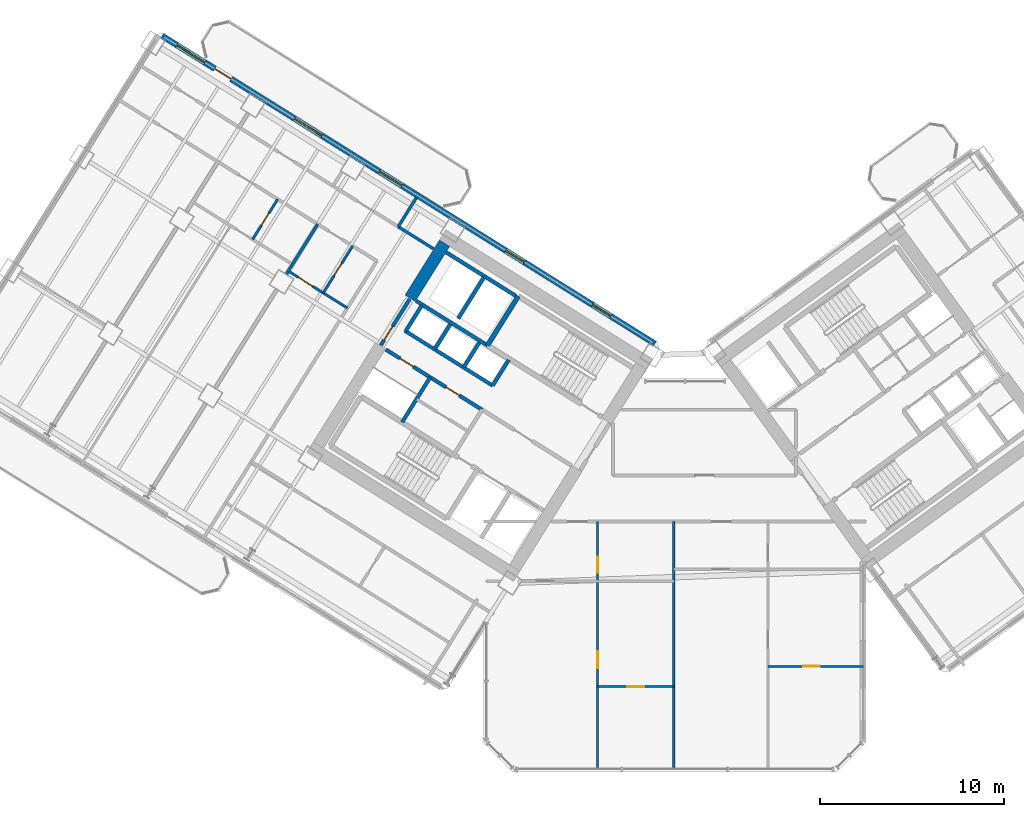
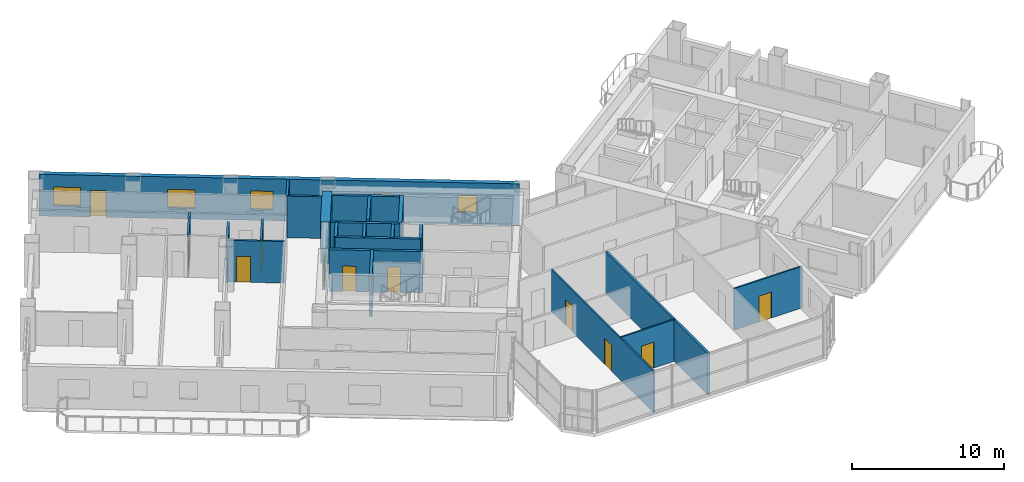
# One storey, part 16 of 28: 24 walls, 11 doors, 5 windows, 16 openings.
"""IFC4 building model written with IfcOpenShell, lengths in metres."""

from ifc_helpers import new_model, si_unit, direction, frame, frame_2d, origin, place, context, subcontext, project, spatial, rectangle, extrude, source, transform, mapped, material, layer, layer_set, type_object, element, fill, save


model = new_model("IFC4")

# Units and contexts
model_context = context("Model", 3, precision=1e-05, world=origin(), true_north=direction((0.0, 1.0)))
body_context = subcontext(model_context, "Body", "Model", "MODEL_VIEW")
ifc_project = project(units=[si_unit("LENGTHUNIT", "METRE"), si_unit("AREAUNIT", "SQUARE_METRE"), si_unit("VOLUMEUNIT", "CUBIC_METRE"), si_unit("PLANEANGLEUNIT", "RADIAN"), si_unit("MASSUNIT", "GRAM", prefix="KILO")], contexts=[model_context])

# Site, building, storey
site_placement = place(None, origin())
site = spatial("IfcSite", under=ifc_project, at=site_placement, CompositionType="ELEMENT")
building_placement = place(site_placement, origin())
building = spatial("IfcBuilding", under=site, at=building_placement, Name="Tlacorven Tower", CompositionType="ELEMENT")
storey_placement = place(building_placement, frame((0.0, 0.0, 42.0)))
storey = spatial("IfcBuildingStorey", under=building, at=storey_placement, Name="L10", CompositionType="ELEMENT", Elevation=42.0)

# Walls
ifc_material_1 = material(Name="Concrete C60/75", Category="concrete")
ifc_layer_1 = layer(ifc_material_1, 0.64990234375)
ifc_layer_set_1 = layer_set([ifc_layer_1], Name="Concrete C60/75")
wall_type_1 = type_object("IfcWallType", Name="WL-COR-650", PredefinedType="SHEAR", material=ifc_layer_set_1)
wall_1_placement = place(storey_placement, frame((29.49072265625, 30.5517578125, 0.0), z_axis=(0.0, 0.0, 1.0), x_axis=(-0.529893103397, -0.8480644427, 0.0)))
element("IfcWall", 1, at=wall_1_placement, inside=storey, type_object=wall_type_1, Name="L10 W core end wall E2.1", PredefinedType="SHEAR", context=body_context, shape_type="SweptSolid", body=[
    extrude(rectangle(XDim=3.525146484375, YDim=0.64990234375, at=frame_2d((1.7626953125, 0.0))), origin(), (0.0, 0.0, 1.0), 3.35009765625),
])
ifc_material_2 = material(Name="Gypsum plasterboard acoustic partition", Category="gypsum")
ifc_layer_2 = layer(ifc_material_2, 0.159912109375)
ifc_layer_set_2 = layer_set([ifc_layer_2], Name="Gypsum plasterboard acoustic partition")
wall_type_2 = type_object("IfcWallType", Name="WL-DEM-160", PredefinedType="PARTITIONING", material=ifc_layer_set_2)
wall_2_placement = place(storey_placement, frame((28.887451171875, 30.250732421875, 0.0), z_axis=(0.0, 0.0, 1.0), x_axis=(-0.848040823168, 0.52993090327, 0.0)))
element("IfcWall", 2, at=wall_2_placement, inside=storey, type_object=wall_type_2, Name="L10 partition 50", PredefinedType="PARTITIONING", context=body_context, shape_type="SweptSolid", body=[
    extrude(rectangle(XDim=2.2578125, YDim=0.159912109375, at=frame_2d((1.12890625, 0.0))), origin(), (0.0, 0.0, 1.0), 3.340087890625),
])
wall_3_placement = place(storey_placement, frame((27.952880859375, 33.01611328125, 0.0), z_axis=(0.0, 0.0, 1.0), x_axis=(-0.529880305451, -0.848072439061, 0.0)))
element("IfcWall", 3, at=wall_3_placement, inside=storey, type_object=wall_type_2, Name="L10 partition 52", PredefinedType="PARTITIONING", context=body_context, shape_type="SweptSolid", body=[
    extrude(rectangle(XDim=1.849853515625, YDim=0.159912109375, at=frame_2d((0.9248046875, 0.0))), origin(), (0.0, 0.0, 1.0), 3.340087890625),
])
wall_4_placement = place(storey_placement, frame((22.5927734375, 31.58984375, 0.0), z_axis=(0.0, 0.0, 1.0), x_axis=(-0.529930102756, -0.848041323399, 0.0)))
element("IfcWall", 4, at=wall_4_placement, inside=storey, type_object=wall_type_2, Name="L10 WN Demising Wall 1", PredefinedType="PARTITIONING", context=body_context, shape_type="SweptSolid", body=[
    extrude(rectangle(XDim=3.18798828125, YDim=0.159912109375, at=frame_2d((1.593994140625, 0.0))), origin(), (0.0, 0.0, 1.0), 2.72509765625),
])
wall_5_placement = place(storey_placement, frame((41.949951171875, 1.9599609375, 0.0), z_axis=(0.0, 0.0, 1.0), x_axis=(0.0, 1.0, 0.0)))
element("IfcWall", 5, at=wall_5_placement, inside=storey, type_object=wall_type_2, Name="L10 Knuckle Demising Wall 1", PredefinedType="PARTITIONING", context=body_context, shape_type="SweptSolid", body=[
    extrude(rectangle(XDim=13.4599609375, YDim=0.159912109375, at=frame_2d((6.72998046875, 0.0))), origin(), (0.0, 0.0, 1.0), 3.340087890625),
])

# Wall, openings, door, windows
ifc_material_3 = material(Name="Precast concrete C45/55", Category="concrete")
ifc_layer_3 = layer(ifc_material_3, 0.320068359375)
ifc_layer_set_3 = layer_set([ifc_layer_3], Name="Precast concrete C45/55")
wall_type_3 = type_object("IfcWallType", Name="WL-EXT-320", PredefinedType="STANDARD", material=ifc_layer_set_3)
wall_6_placement = place(storey_placement, frame((14.13818359375, 41.825439453125, 0.0), z_axis=(0.0, 0.0, 1.0), x_axis=(0.848046498049, -0.529921821731, 0.0)))
wall_6 = element("IfcWall", 6, at=wall_6_placement, inside=storey, type_object=wall_type_3, Name="L10 Masonry-Frame Recessed Facade Wall 3", PredefinedType="STANDARD", context=body_context, shape_type="SweptSolid", body=[
    extrude(rectangle(XDim=31.587646484375, YDim=0.320068359375, at=frame_2d((15.7939453125, 0.0))), origin(), (0.0, 0.0, 1.0), 3.35009765625),
])
opening_1_placement = place(wall_6_placement, frame((3.368896484375, 0.0, 0.0)))
opening_1 = element("IfcOpeningElement", 7, at=opening_1_placement, cuts=wall_6, Name="Opening D06", PredefinedType="OPENING", context=body_context, shape_type="SweptSolid", body=[
    extrude(rectangle(XDim=1.050048828125, YDim=2.14990234375, at=frame_2d((0.52490234375, 1.074951171875))), frame((0.0, 0.169921875, 0.0), z_axis=(0.0, -1.0, 0.0), x_axis=(1.0, 0.0, 0.0)), (0.0, 0.0, 1.0), 0.340087890625),
])
opening_2_placement = place(wall_6_placement, frame((0.9462890625, 0.0, 0.85009765625)))
opening_2 = element("IfcOpeningElement", 8, at=opening_2_placement, cuts=wall_6, Name="Opening WN01", PredefinedType="OPENING", context=body_context, shape_type="SweptSolid", body=[
    extrude(rectangle(XDim=1.800048828125, YDim=1.5, at=frame_2d((0.89990234375, 0.75))), frame((0.0, 0.169921875, 0.0), z_axis=(0.0, -1.0, 0.0), x_axis=(1.0, 0.0, 0.0)), (0.0, 0.0, 1.0), 0.340087890625),
])
opening_3_placement = place(wall_6_placement, frame((8.460205078125, 0.0, 0.85009765625)))
opening_3 = element("IfcOpeningElement", 9, at=opening_3_placement, cuts=wall_6, Name="Opening WN01", PredefinedType="OPENING", context=body_context, shape_type="SweptSolid", body=[
    extrude(rectangle(XDim=1.800048828125, YDim=1.5, at=frame_2d((0.89990234375, 0.75))), frame((0.0, 0.169921875, 0.0), z_axis=(0.0, -1.0, 0.0), x_axis=(1.0, 0.0, 0.0)), (0.0, 0.0, 1.0), 0.340087890625),
])
opening_4_placement = place(wall_6_placement, frame((13.898681640625, 0.0, 0.85009765625)))
opening_4 = element("IfcOpeningElement", 10, at=opening_4_placement, cuts=wall_6, Name="Opening WN02", PredefinedType="OPENING", context=body_context, shape_type="SweptSolid", body=[
    extrude(rectangle(XDim=1.5, YDim=1.5, at=frame_2d((0.75, 0.75))), frame((0.0, 0.169921875, 0.0), z_axis=(0.0, -1.0, 0.0), x_axis=(1.0, 0.0, 0.0)), (0.0, 0.0, 1.0), 0.340087890625),
])
opening_5_placement = place(wall_6_placement, frame((22.018798828125, 0.0, 0.949951171875)))
opening_5 = element("IfcOpeningElement", 11, at=opening_5_placement, cuts=wall_6, Name="Opening WN03", PredefinedType="OPENING", context=body_context, shape_type="SweptSolid", body=[
    extrude(rectangle(XDim=1.199951171875, YDim=1.39990234375, at=frame_2d((0.60009765625, 0.699951171875))), frame((0.0, 0.169921875, 0.0), z_axis=(0.0, -1.0, 0.0), x_axis=(1.0, 0.0, 0.0)), (0.0, 0.0, 1.0), 0.340087890625),
])
opening_6_placement = place(wall_6_placement, frame((27.568603515625, 0.0, 0.949951171875)))
opening_6 = element("IfcOpeningElement", 12, at=opening_6_placement, cuts=wall_6, Name="Opening WN03", PredefinedType="OPENING", context=body_context, shape_type="SweptSolid", body=[
    extrude(rectangle(XDim=1.199951171875, YDim=1.39990234375, at=frame_2d((0.60009765625, 0.699951171875))), frame((0.0, 0.169921875, 0.0), z_axis=(0.0, -1.0, 0.0), x_axis=(1.0, 0.0, 0.0)), (0.0, 0.0, 1.0), 0.340087890625),
])
ifc_material_4 = material(Name="Powder-coated aluminium and timber door", Category="wood")
door_type_1 = type_object("IfcDoorType", Name="DR-EXT-BALC-1050", OperationType="NOTDEFINED", PredefinedType="DOOR", material=ifc_material_4)
shared_shape_1 = source(origin(), body_context, "Body", "SweptSolid", [
    extrude(rectangle(XDim=1.050048828125, YDim=2.14990234375, at=frame_2d((0.52490234375, 1.074951171875))), frame((0.0, 0.02490234375, 0.0), z_axis=(0.0, -1.0, 0.0), x_axis=(1.0, 0.0, 0.0)), (0.0, 0.0, 1.0), 0.050048828125),
])
door_1_placement = place(opening_1_placement, origin())
door_1 = element("IfcDoor", 13, at=door_1_placement, inside=storey, type_object=door_type_1, Name="L10 Outdoor Access Door BAL-L10-W-IN", OperationType="SINGLE_SWING_RIGHT", OverallHeight=2.14990234375, OverallWidth=1.050048828125, PredefinedType="DOOR", context=body_context, shape_type="MappedRepresentation", body=[
    mapped(shared_shape_1, transform((0.0, 0.0, 0.0), scale=1.0)),
])
fill(opening_1, door_1)
ifc_material_5 = material(Name="Dark solar low-E double glazing in anodised aluminium frame", Category="aluminium")
window_type_1 = type_object("IfcWindowType", Name="WN-APT-1200X1500", PartitioningType="SINGLE_PANEL", PredefinedType="WINDOW", material=ifc_material_5)
shared_shape_2 = source(origin(), body_context, "Body", "SweptSolid", [
    extrude(rectangle(XDim=1.199951171875, YDim=1.39990234375, at=frame_2d((0.60009765625, 0.699951171875))), frame((0.0, 0.030029296875, 0.0), z_axis=(0.0, -1.0, 0.0), x_axis=(1.0, 0.0, 0.0)), (0.0, 0.0, 1.0), 0.06005859375),
])
window_1_placement = place(opening_5_placement, origin())
window_1 = element("IfcWindow", 14, at=window_1_placement, inside=storey, type_object=window_type_1, Name="L10 Recessed Masonry-Frame Window L10-03.4", OverallHeight=1.39990234375, OverallWidth=1.199951171875, PartitioningType="SINGLE_PANEL", PredefinedType="WINDOW", context=body_context, shape_type="MappedRepresentation", body=[
    mapped(shared_shape_2, transform((0.0, 0.0, 0.0), scale=1.0)),
])
fill(opening_5, window_1)
window_2_placement = place(opening_6_placement, origin())
window_2 = element("IfcWindow", 15, at=window_2_placement, inside=storey, type_object=window_type_1, Name="L10 Recessed Masonry-Frame Window L10-03.5", OverallHeight=1.39990234375, OverallWidth=1.199951171875, PartitioningType="SINGLE_PANEL", PredefinedType="WINDOW", context=body_context, shape_type="MappedRepresentation", body=[
    mapped(shared_shape_2, transform((0.0, 0.0, 0.0), scale=1.0)),
])
fill(opening_6, window_2)
window_type_2 = type_object("IfcWindowType", Name="WN-APT-1800X1650", PartitioningType="SINGLE_PANEL", PredefinedType="WINDOW", material=ifc_material_5)
shared_shape_3 = source(origin(), body_context, "Body", "SweptSolid", [
    extrude(rectangle(XDim=1.800048828125, YDim=1.5, at=frame_2d((0.89990234375, 0.75))), frame((0.0, 0.030029296875, 0.0), z_axis=(0.0, -1.0, 0.0), x_axis=(1.0, 0.0, 0.0)), (0.0, 0.0, 1.0), 0.06005859375),
])
window_3_placement = place(opening_2_placement, origin())
window_3 = element("IfcWindow", 16, at=window_3_placement, inside=storey, type_object=window_type_2, Name="L10 Recessed Masonry-Frame Window L10-03.1", OverallHeight=1.5, OverallWidth=1.800048828125, PartitioningType="SINGLE_PANEL", PredefinedType="WINDOW", context=body_context, shape_type="MappedRepresentation", body=[
    mapped(shared_shape_3, transform((0.0, 0.0, 0.0), scale=1.0)),
])
fill(opening_2, window_3)
window_4_placement = place(opening_3_placement, origin())
window_4 = element("IfcWindow", 17, at=window_4_placement, inside=storey, type_object=window_type_2, Name="L10 Recessed Masonry-Frame Window L10-03.2", OverallHeight=1.5, OverallWidth=1.800048828125, PartitioningType="SINGLE_PANEL", PredefinedType="WINDOW", context=body_context, shape_type="MappedRepresentation", body=[
    mapped(shared_shape_3, transform((0.0, 0.0, 0.0), scale=1.0)),
])
fill(opening_3, window_4)
window_type_3 = type_object("IfcWindowType", Name="WN-APT-1500X1650", PartitioningType="SINGLE_PANEL", PredefinedType="WINDOW", material=ifc_material_5)
shared_shape_4 = source(origin(), body_context, "Body", "SweptSolid", [
    extrude(rectangle(XDim=1.5, YDim=1.5, at=frame_2d((0.75, 0.75))), frame((0.0, 0.030029296875, 0.0), z_axis=(0.0, -1.0, 0.0), x_axis=(1.0, 0.0, 0.0)), (0.0, 0.0, 1.0), 0.06005859375),
])
window_5_placement = place(opening_4_placement, origin())
window_5 = element("IfcWindow", 18, at=window_5_placement, inside=storey, type_object=window_type_3, Name="L10 Recessed Masonry-Frame Window L10-03.3", OverallHeight=1.5, OverallWidth=1.5, PartitioningType="SINGLE_PANEL", PredefinedType="WINDOW", context=body_context, shape_type="MappedRepresentation", body=[
    mapped(shared_shape_4, transform((0.0, 0.0, 0.0), scale=1.0)),
])
fill(opening_4, window_5)

# Wall, openings, doors
ifc_material_6 = material(Name="Gypsum plasterboard partition", Category="gypsum")
ifc_layer_4 = layer(ifc_material_6, 0.110107421875)
ifc_layer_set_4 = layer_set([ifc_layer_4], Name="Gypsum plasterboard partition")
wall_type_4 = type_object("IfcWallType", Name="WL-INT-110", PredefinedType="PARTITIONING", material=ifc_layer_set_4)
wall_7_placement = place(storey_placement, frame((37.81298828125, 1.9599609375, 0.0), z_axis=(0.0, 0.0, 1.0), x_axis=(0.0, 1.0, 0.0)))
wall_7 = element("IfcWall", 19, at=wall_7_placement, inside=storey, type_object=wall_type_4, Name="L10 partition 78", PredefinedType="PARTITIONING", context=body_context, shape_type="SweptSolid", body=[
    extrude(rectangle(XDim=13.4599609375, YDim=0.110107421875, at=frame_2d((6.72998046875, 0.0))), origin(), (0.0, 0.0, 1.0), 3.340087890625),
])
opening_7_placement = place(wall_7_placement, frame((5.5, 0.0, 0.0)))
opening_7 = element("IfcOpeningElement", 20, at=opening_7_placement, cuts=wall_7, Name="Opening D12", PredefinedType="OPENING", context=body_context, shape_type="SweptSolid", body=[
    extrude(rectangle(XDim=0.919921875, YDim=2.080078125, at=frame_2d((0.4599609375, 1.0400390625))), frame((0.0, 0.06494140625, 0.0), z_axis=(0.0, -1.0, 0.0), x_axis=(1.0, 0.0, 0.0)), (0.0, 0.0, 1.0), 0.130126953125),
])
opening_8_placement = place(wall_7_placement, frame((10.669921875, 0.0, 0.0)))
opening_8 = element("IfcOpeningElement", 21, at=opening_8_placement, cuts=wall_7, Name="Opening D13", PredefinedType="OPENING", context=body_context, shape_type="SweptSolid", body=[
    extrude(rectangle(XDim=0.8798828125, YDim=2.080078125, at=frame_2d((0.43994140625, 1.0400390625))), frame((0.0, 0.06494140625, 0.0), z_axis=(0.0, -1.0, 0.0), x_axis=(1.0, 0.0, 0.0)), (0.0, 0.0, 1.0), 0.130126953125),
])
door_type_2 = type_object("IfcDoorType", Name="DR-INT-WET-0880", OperationType="NOTDEFINED", PredefinedType="DOOR", material=ifc_material_4)
shared_shape_5 = source(origin(), body_context, "Body", "SweptSolid", [
    extrude(rectangle(XDim=0.8798828125, YDim=2.080078125, at=frame_2d((0.43994140625, 1.0400390625))), frame((0.0, 0.02490234375, 0.0), z_axis=(0.0, -1.0, 0.0), x_axis=(1.0, 0.0, 0.0)), (0.0, 0.0, 1.0), 0.050048828125),
])
door_2_placement = place(opening_8_placement, origin())
door_2 = element("IfcDoor", 22, at=door_2_placement, inside=storey, type_object=door_type_2, Name="L10 door 045", OperationType="SINGLE_SWING_LEFT", OverallHeight=2.080078125, OverallWidth=0.8798828125, PredefinedType="DOOR", context=body_context, shape_type="MappedRepresentation", body=[
    mapped(shared_shape_5, transform((0.0, 0.0, 0.0), scale=1.0)),
])
fill(opening_8, door_2)
door_type_3 = type_object("IfcDoorType", Name="DR-INT-ROOM-0920", OperationType="NOTDEFINED", PredefinedType="DOOR", material=ifc_material_4)
shared_shape_6 = source(origin(), body_context, "Body", "SweptSolid", [
    extrude(rectangle(XDim=0.919921875, YDim=2.080078125, at=frame_2d((0.4599609375, 1.0400390625))), frame((0.0, 0.02490234375, 0.0), z_axis=(0.0, -1.0, 0.0), x_axis=(1.0, 0.0, 0.0)), (0.0, 0.0, 1.0), 0.050048828125),
])
door_3_placement = place(opening_7_placement, origin())
door_3 = element("IfcDoor", 23, at=door_3_placement, inside=storey, type_object=door_type_3, Name="L10 door 041", OperationType="SINGLE_SWING_LEFT", OverallHeight=2.080078125, OverallWidth=0.919921875, PredefinedType="DOOR", context=body_context, shape_type="MappedRepresentation", body=[
    mapped(shared_shape_6, transform((0.0, 0.0, 0.0), scale=1.0)),
])
fill(opening_7, door_3)

# Wall, opening, door
wall_8_placement = place(storey_placement, frame((37.81298828125, 6.449951171875, 0.0), z_axis=(0.0, 0.0, 1.0), x_axis=(1.0, 0.0, 0.0)))
wall_8 = element("IfcWall", 24, at=wall_8_placement, inside=storey, type_object=wall_type_4, Name="L10 partition 81", PredefinedType="PARTITIONING", context=body_context, shape_type="SweptSolid", body=[
    extrude(rectangle(XDim=4.136962890625, YDim=0.110107421875, at=frame_2d((2.068359375, 0.0))), origin(), (0.0, 0.0, 1.0), 3.340087890625),
])
opening_9_placement = place(wall_8_placement, frame((1.6083984375, 0.0, 0.0)))
opening_9 = element("IfcOpeningElement", 25, at=opening_9_placement, cuts=wall_8, Name="Opening D12", PredefinedType="OPENING", context=body_context, shape_type="SweptSolid", body=[
    extrude(rectangle(XDim=0.919921875, YDim=2.080078125, at=frame_2d((0.4599609375, 1.0400390625))), frame((0.0, 0.06494140625, 0.0), z_axis=(0.0, -1.0, 0.0), x_axis=(1.0, 0.0, 0.0)), (0.0, 0.0, 1.0), 0.130126953125),
])
door_4_placement = place(opening_9_placement, origin())
door_4 = element("IfcDoor", 26, at=door_4_placement, inside=storey, type_object=door_type_3, Name="L10 door 042", OperationType="SINGLE_SWING_RIGHT", OverallHeight=2.080078125, OverallWidth=0.919921875, PredefinedType="DOOR", context=body_context, shape_type="MappedRepresentation", body=[
    mapped(shared_shape_6, transform((0.0, 0.0, 0.0), scale=1.0)),
])
fill(opening_9, door_4)

wall_9_placement = place(storey_placement, frame((47.072021484375, 7.550048828125, 0.0), z_axis=(0.0, 0.0, 1.0), x_axis=(1.0, 0.0, 0.0)))
wall_9 = element("IfcWall", 27, at=wall_9_placement, inside=storey, type_object=wall_type_4, Name="L10 partition 85", PredefinedType="PARTITIONING", context=body_context, shape_type="SweptSolid", body=[
    extrude(rectangle(XDim=5.18798828125, YDim=0.110107421875, at=frame_2d((2.593994140625, 0.0))), origin(), (0.0, 0.0, 1.0), 3.340087890625),
])
opening_10_placement = place(wall_9_placement, frame((1.904052734375, 0.0, 0.0)))
opening_10 = element("IfcOpeningElement", 28, at=opening_10_placement, cuts=wall_9, Name="Opening D12", PredefinedType="OPENING", context=body_context, shape_type="SweptSolid", body=[
    extrude(rectangle(XDim=0.919921875, YDim=2.080078125, at=frame_2d((0.4599609375, 1.0400390625))), frame((0.0, 0.06494140625, 0.0), z_axis=(0.0, -1.0, 0.0), x_axis=(1.0, 0.0, 0.0)), (0.0, 0.0, 1.0), 0.130126953125),
])
door_5_placement = place(opening_10_placement, origin())
door_5 = element("IfcDoor", 29, at=door_5_placement, inside=storey, type_object=door_type_3, Name="L10 door 047", OperationType="SINGLE_SWING_LEFT", OverallHeight=2.080078125, OverallWidth=0.919921875, PredefinedType="DOOR", context=body_context, shape_type="MappedRepresentation", body=[
    mapped(shared_shape_6, transform((0.0, 0.0, 0.0), scale=1.0)),
])
fill(opening_10, door_5)

ifc_material_7 = material(Name="Moisture-resistant gypsum plumbing wall", Category="gypsum")
ifc_layer_5 = layer(ifc_material_7, 0.139892578125)
ifc_layer_set_5 = layer_set([ifc_layer_5], Name="Moisture-resistant gypsum plumbing wall")
wall_type_5 = type_object("IfcWallType", Name="WL-PLM-140", PredefinedType="PLUMBINGWALL", material=ifc_layer_set_5)
wall_10_placement = place(storey_placement, frame((24.211669921875, 27.02880859375, 0.0), z_axis=(0.0, 0.0, 1.0), x_axis=(-0.84803087207, 0.529946827537, 0.0)))
wall_10 = element("IfcWall", 30, at=wall_10_placement, inside=storey, type_object=wall_type_5, Name="L10 partition 57", PredefinedType="PLUMBINGWALL", context=body_context, shape_type="SweptSolid", body=[
    extrude(rectangle(XDim=3.7900390625, YDim=0.139892578125, at=frame_2d((1.89501953125, 0.0))), origin(), (0.0, 0.0, 1.0), 3.340087890625),
])
opening_11_placement = place(wall_10_placement, frame((2.22998046875, 0.0, 0.0)))
opening_11 = element("IfcOpeningElement", 31, at=opening_11_placement, cuts=wall_10, Name="Opening D12", PredefinedType="OPENING", context=body_context, shape_type="SweptSolid", body=[
    extrude(rectangle(XDim=0.919921875, YDim=2.080078125, at=frame_2d((0.4599609375, 1.0400390625))), frame((0.0, 0.080078125, 0.0), z_axis=(0.0, -1.0, 0.0), x_axis=(1.0, 0.0, 0.0)), (0.0, 0.0, 1.0), 0.159912109375),
])
door_6_placement = place(opening_11_placement, origin())
door_6 = element("IfcDoor", 32, at=door_6_placement, inside=storey, type_object=door_type_3, Name="L10 door 024", OperationType="SINGLE_SWING_LEFT", OverallHeight=2.080078125, OverallWidth=0.919921875, PredefinedType="DOOR", context=body_context, shape_type="MappedRepresentation", body=[
    mapped(shared_shape_6, transform((0.0, 0.0, 0.0), scale=1.0)),
])
fill(opening_11, door_6)

wall_11_placement = place(storey_placement, frame((24.492431640625, 30.40283203125, 0.0), z_axis=(0.0, 0.0, 1.0), x_axis=(-0.529977067289, -0.848011974059, 0.0)))
wall_11 = element("IfcWall", 33, at=wall_11_placement, inside=storey, type_object=wall_type_5, Name="L10 partition 58", PredefinedType="PLUMBINGWALL", context=body_context, shape_type="SweptSolid", body=[
    extrude(rectangle(XDim=3.010009765625, YDim=0.139892578125, at=frame_2d((1.5048828125, 0.0))), origin(), (0.0, 0.0, 1.0), 2.9951171875),
])
opening_12_placement = place(wall_11_placement, frame((1.114990234375, 0.0, 0.0)))
opening_12 = element("IfcOpeningElement", 34, at=opening_12_placement, cuts=wall_11, Name="Opening D22", PredefinedType="OPENING", context=body_context, shape_type="SweptSolid", body=[
    extrude(rectangle(XDim=0.780029296875, YDim=2.050048828125, at=frame_2d((0.39013671875, 1.02490234375))), frame((0.0, 0.080078125, 0.0), z_axis=(0.0, -1.0, 0.0), x_axis=(1.0, 0.0, 0.0)), (0.0, 0.0, 1.0), 0.159912109375),
])
door_type_4 = type_object("IfcDoorType", Name="DR-INT-WET-0780", OperationType="NOTDEFINED", PredefinedType="DOOR", material=ifc_material_4)
shared_shape_7 = source(origin(), body_context, "Body", "SweptSolid", [
    extrude(rectangle(XDim=0.780029296875, YDim=2.050048828125, at=frame_2d((0.39013671875, 1.02490234375))), frame((0.0, 0.02490234375, 0.0), z_axis=(0.0, -1.0, 0.0), x_axis=(1.0, 0.0, 0.0)), (0.0, 0.0, 1.0), 0.050048828125),
])
door_7_placement = place(opening_12_placement, origin())
door_7 = element("IfcDoor", 35, at=door_7_placement, inside=storey, type_object=door_type_4, Name="L10 door 025", OperationType="SINGLE_SWING_LEFT", OverallHeight=2.050048828125, OverallWidth=0.780029296875, PredefinedType="DOOR", context=body_context, shape_type="MappedRepresentation", body=[
    mapped(shared_shape_7, transform((0.0, 0.0, 0.0), scale=1.0)),
])
fill(opening_12, door_7)

wall_12_placement = place(storey_placement, frame((20.421630859375, 32.946533203125, 0.0), z_axis=(0.0, 0.0, 1.0), x_axis=(-0.529913878929, -0.848051461244, 0.0)))
wall_12 = element("IfcWall", 36, at=wall_12_placement, inside=storey, type_object=wall_type_5, Name="L10 partition 61", PredefinedType="PLUMBINGWALL", context=body_context, shape_type="SweptSolid", body=[
    extrude(rectangle(XDim=2.580078125, YDim=0.139892578125, at=frame_2d((1.2900390625, 0.0))), origin(), (0.0, 0.0, 1.0), 3.340087890625),
])
opening_13_placement = place(wall_12_placement, frame((0.89990234375, 0.0, 0.0)))
opening_13 = element("IfcOpeningElement", 37, at=opening_13_placement, cuts=wall_12, Name="Opening D22", PredefinedType="OPENING", context=body_context, shape_type="SweptSolid", body=[
    extrude(rectangle(XDim=0.780029296875, YDim=2.050048828125, at=frame_2d((0.39013671875, 1.02490234375))), frame((0.0, 0.080078125, 0.0), z_axis=(0.0, -1.0, 0.0), x_axis=(1.0, 0.0, 0.0)), (0.0, 0.0, 1.0), 0.159912109375),
])
door_8_placement = place(opening_13_placement, origin())
door_8 = element("IfcDoor", 38, at=door_8_placement, inside=storey, type_object=door_type_4, Name="L10 door 029", OperationType="SINGLE_SWING_LEFT", OverallHeight=2.050048828125, OverallWidth=0.780029296875, PredefinedType="DOOR", context=body_context, shape_type="MappedRepresentation", body=[
    mapped(shared_shape_7, transform((0.0, 0.0, 0.0), scale=1.0)),
])
fill(opening_13, door_8)

# Walls
ifc_material_8 = material(Name="Concrete C40/50", Category="concrete")
ifc_layer_6 = layer(ifc_material_8, 0.199951171875)
ifc_layer_set_6 = layer_set([ifc_layer_6], Name="Concrete C40/50")
wall_type_6 = type_object("IfcWallType", Name="WL-SHF-200", PredefinedType="STANDARD", material=ifc_layer_set_6)
wall_13_placement = place(storey_placement, frame((31.82177734375, 24.99755859375, 0.0), z_axis=(0.0, 0.0, 1.0), x_axis=(-0.848058348634, 0.529902856485, 0.0)))
element("IfcWall", 39, at=wall_13_placement, inside=storey, type_object=wall_type_6, Name="L10 Core W South Lift Shaft Wall", PredefinedType="STANDARD", context=body_context, shape_type="SweptSolid", body=[
    extrude(rectangle(XDim=4.568115234375, YDim=0.199951171875, at=frame_2d((2.2841796875, 0.0))), origin(), (0.0, 0.0, 1.0), 3.340087890625),
])
wall_14_placement = place(storey_placement, frame((32.108154296875, 22.81396484375, 0.0), z_axis=(0.0, 0.0, 1.0), x_axis=(-0.848042229521, 0.529928652696, 0.0)))
element("IfcWall", 40, at=wall_14_placement, inside=storey, type_object=wall_type_6, Name="L10 partition 11", PredefinedType="STANDARD", context=body_context, shape_type="SweptSolid", body=[
    extrude(rectangle(XDim=5.6201171875, YDim=0.199951171875, at=frame_2d((2.81005859375, 0.0))), origin(), (0.0, 0.0, 1.0), 3.340087890625),
])
wall_15_placement = place(storey_placement, frame((32.982421875, 24.21337890625, 0.0), z_axis=(0.0, 0.0, 1.0), x_axis=(-0.529839334948, -0.84809803628, 0.0)))
element("IfcWall", 41, at=wall_15_placement, inside=storey, type_object=wall_type_6, Name="L10 partition 12", PredefinedType="STANDARD", context=body_context, shape_type="SweptSolid", body=[
    extrude(rectangle(XDim=1.650146484375, YDim=0.199951171875, at=frame_2d((0.8251953125, 0.0))), origin(), (0.0, 0.0, 1.0), 3.340087890625),
])
wall_16_placement = place(storey_placement, frame((28.250244140625, 27.170166015625, 0.0), z_axis=(0.0, 0.0, 1.0), x_axis=(-0.529905827651, -0.848056492117, 0.0)))
element("IfcWall", 42, at=wall_16_placement, inside=storey, type_object=wall_type_6, Name="L10 partition 13", PredefinedType="STANDARD", context=body_context, shape_type="SweptSolid", body=[
    extrude(rectangle(XDim=1.64990234375, YDim=0.199951171875, at=frame_2d((0.824951171875, 0.0))), origin(), (0.0, 0.0, 1.0), 3.340087890625),
])
wall_17_placement = place(storey_placement, frame((31.645263671875, 28.716064453125, 0.0), z_axis=(0.0, 0.0, 1.0), x_axis=(-0.52986693015, -0.848080795876, 0.0)))
element("IfcWall", 43, at=wall_17_placement, inside=storey, type_object=wall_type_6, Name="L10 partition 15", PredefinedType="STANDARD", context=body_context, shape_type="SweptSolid", body=[
    extrude(rectangle(XDim=2.659912109375, YDim=0.199951171875, at=frame_2d((1.330078125, 0.0))), origin(), (0.0, 0.0, 1.0), 3.340087890625),
])
wall_18_placement = place(storey_placement, frame((33.362548828125, 27.690185546875, 0.0), z_axis=(0.0, 0.0, 1.0), x_axis=(-0.848053806312, 0.529910125964, 0.0)))
element("IfcWall", 44, at=wall_18_placement, inside=storey, type_object=wall_type_6, Name="L10 partition 17", PredefinedType="STANDARD", context=body_context, shape_type="SweptSolid", body=[
    extrude(rectangle(XDim=4.44775390625, YDim=0.199951171875, at=frame_2d((2.223876953125, 0.0))), origin(), (0.0, 0.0, 1.0), 3.340087890625),
])
for number, where, z_axis, x_axis, name in (
    (45, (31.378662109375, 25.156494140625, 0.0), (0.0, 0.0, 1.0), (-0.529998940003, -0.847998304005, 0.0), "L10 partition 18"),
    (46, (29.80126953125, 26.14208984375, 0.0), (0.0, 0.0, 1.0), (-0.529998940003, -0.847998304005, 0.0), "L10 partition 19"),
):
    element("IfcWall", number, at=place(storey_placement, frame(where, z_axis=z_axis, x_axis=x_axis)), inside=storey, type_object=wall_type_6, Name=name, PredefinedType="STANDARD", context=body_context, shape_type="SweptSolid", body=[
        extrude(rectangle(XDim=1.580078125, YDim=0.199951171875, at=frame_2d((0.7900390625, 0.0))), origin(), (0.0, 0.0, 1.0), 3.340087890625),
    ])
wall_19_placement = place(storey_placement, frame((28.709716796875, 23.26318359375, 0.0), z_axis=(0.0, 0.0, 1.0), x_axis=(-0.529907497854, -0.848055448493, 0.0)))
element("IfcWall", 47, at=wall_19_placement, inside=storey, type_object=wall_type_6, Name="L10 partition 21", PredefinedType="STANDARD", context=body_context, shape_type="SweptSolid", body=[
    extrude(rectangle(XDim=2.8798828125, YDim=0.199951171875, at=frame_2d((1.43994140625, 0.0))), origin(), (0.0, 0.0, 1.0), 3.340087890625),
])

# Wall, openings, doors
wall_20_placement = place(storey_placement, frame((31.525146484375, 21.503662109375, 0.0), z_axis=(0.0, 0.0, 1.0), x_axis=(-0.848044998614, 0.529924221305, 0.0)))
wall_20 = element("IfcWall", 48, at=wall_20_placement, inside=storey, type_object=wall_type_6, Name="L10 Core W North Service Wall", PredefinedType="STANDARD", context=body_context, shape_type="SweptSolid", body=[
    extrude(rectangle(XDim=6.16796875, YDim=0.199951171875, at=frame_2d((3.083984375, 0.0))), origin(), (0.0, 0.0, 1.0), 3.340087890625),
])
opening_14_placement = place(wall_20_placement, frame((4.39990234375, 0.0, 0.0)))
opening_14 = element("IfcOpeningElement", 49, at=opening_14_placement, cuts=wall_20, Name="Opening D19", PredefinedType="OPENING", context=body_context, shape_type="SweptSolid", body=[
    extrude(rectangle(XDim=0.860107421875, YDim=2.050048828125, at=frame_2d((0.43017578125, 1.02490234375))), frame((0.0, 0.10986328125, 0.0), z_axis=(0.0, -1.0, 0.0), x_axis=(1.0, 0.0, 0.0)), (0.0, 0.0, 1.0), 0.219970703125),
])
opening_15_placement = place(wall_20_placement, frame((1.449951171875, 0.0, 0.0)))
opening_15 = element("IfcOpeningElement", 50, at=opening_15_placement, cuts=wall_20, Name="Opening D19", PredefinedType="OPENING", context=body_context, shape_type="SweptSolid", body=[
    extrude(rectangle(XDim=0.860107421875, YDim=2.050048828125, at=frame_2d((0.43017578125, 1.02490234375))), frame((0.0, 0.10986328125, 0.0), z_axis=(0.0, -1.0, 0.0), x_axis=(1.0, 0.0, 0.0)), (0.0, 0.0, 1.0), 0.219970703125),
])
ifc_material_9 = material(Name="Fire-rated steel door assembly", Category="steel")
door_type_5 = type_object("IfcDoorType", Name="DR-RSR-FD60-0860", OperationType="NOTDEFINED", PredefinedType="DOOR", material=ifc_material_9)
shared_shape_8 = source(origin(), body_context, "Body", "SweptSolid", [
    extrude(rectangle(XDim=0.860107421875, YDim=2.050048828125, at=frame_2d((0.43017578125, 1.02490234375))), frame((0.0, 0.02490234375, 0.0), z_axis=(0.0, -1.0, 0.0), x_axis=(1.0, 0.0, 0.0)), (0.0, 0.0, 1.0), 0.050048828125),
])
door_9_placement = place(opening_14_placement, frame((0.860107421875, 0.0, 0.0), z_axis=(0.0, 0.0, 1.0), x_axis=(-1.0, 0.0, 0.0)))
door_9 = element("IfcDoor", 51, at=door_9_placement, inside=storey, type_object=door_type_5, Name="L10 Electrical Riser Access Door W", OperationType="SINGLE_SWING_LEFT", OverallHeight=2.050048828125, OverallWidth=0.860107421875, PredefinedType="DOOR", context=body_context, shape_type="MappedRepresentation", body=[
    mapped(shared_shape_8, transform((0.0, 0.0, 0.0), scale=1.0)),
])
fill(opening_14, door_9)
door_10_placement = place(opening_15_placement, frame((0.860107421875, 0.0, 0.0), z_axis=(0.0, 0.0, 1.0), x_axis=(-1.0, 0.0, 0.0)))
door_10 = element("IfcDoor", 52, at=door_10_placement, inside=storey, type_object=door_type_5, Name="L10 Cleaner Store Access Door W", OperationType="SINGLE_SWING_RIGHT", OverallHeight=2.050048828125, OverallWidth=0.860107421875, PredefinedType="DOOR", context=body_context, shape_type="MappedRepresentation", body=[
    mapped(shared_shape_8, transform((0.0, 0.0, 0.0), scale=1.0)),
])
fill(opening_15, door_10)

# Wall, opening, door
wall_21_placement = place(storey_placement, frame((27.59619140625, 27.52001953125, 0.0), z_axis=(0.0, 0.0, 1.0), x_axis=(-0.529865479138, -0.848081702443, 0.0)))
wall_21 = element("IfcWall", 53, at=wall_21_placement, inside=storey, type_object=wall_type_6, Name="L10 partition 49", PredefinedType="STANDARD", context=body_context, shape_type="SweptSolid", body=[
    extrude(rectangle(XDim=2.9599609375, YDim=0.199951171875, at=frame_2d((1.47998046875, 0.0))), origin(), (0.0, 0.0, 1.0), 3.340087890625),
])
opening_16_placement = place(wall_21_placement, frame((1.760009765625, 0.0, 0.0)))
opening_16 = element("IfcOpeningElement", 54, at=opening_16_placement, cuts=wall_21, Name="Opening D19", PredefinedType="OPENING", context=body_context, shape_type="SweptSolid", body=[
    extrude(rectangle(XDim=0.860107421875, YDim=2.050048828125, at=frame_2d((0.43017578125, 1.02490234375))), frame((0.0, 0.10986328125, 0.0), z_axis=(0.0, -1.0, 0.0), x_axis=(1.0, 0.0, 0.0)), (0.0, 0.0, 1.0), 0.219970703125),
])
door_11_placement = place(opening_16_placement, origin())
door_11 = element("IfcDoor", 55, at=door_11_placement, inside=storey, type_object=door_type_5, Name="L10 door 022", OperationType="SINGLE_SWING_LEFT", OverallHeight=2.050048828125, OverallWidth=0.860107421875, PredefinedType="DOOR", context=body_context, shape_type="MappedRepresentation", body=[
    mapped(shared_shape_8, transform((0.0, 0.0, 0.0), scale=1.0)),
])
fill(opening_16, door_11)

# Wall
ifc_material_10 = material(Name="Concrete C50/60", Category="concrete")
ifc_layer_7 = layer(ifc_material_10, 0.260009765625)
ifc_layer_set_7 = layer_set([ifc_layer_7], Name="Concrete C50/60")
wall_type_7 = type_object("IfcWallType", Name="WL-STW-260", PredefinedType="SHEAR", material=ifc_layer_set_7)
wall_22_placement = place(storey_placement, frame((33.496337890625, 27.677490234375, 0.0), z_axis=(0.0, 0.0, 1.0), x_axis=(-0.529908658664, -0.84805472316, 0.0)))
element("IfcWall", 56, at=wall_22_placement, inside=storey, type_object=wall_type_7, Name="L10 Stair W2 East Shear Wall", PredefinedType="SHEAR", context=body_context, shape_type="SweptSolid", body=[
    extrude(rectangle(XDim=3.16015625, YDim=0.260009765625, at=frame_2d((1.580078125, 0.0))), origin(), (0.0, 0.0, 1.0), 3.35009765625),
])

save(model, "model.ifc")
